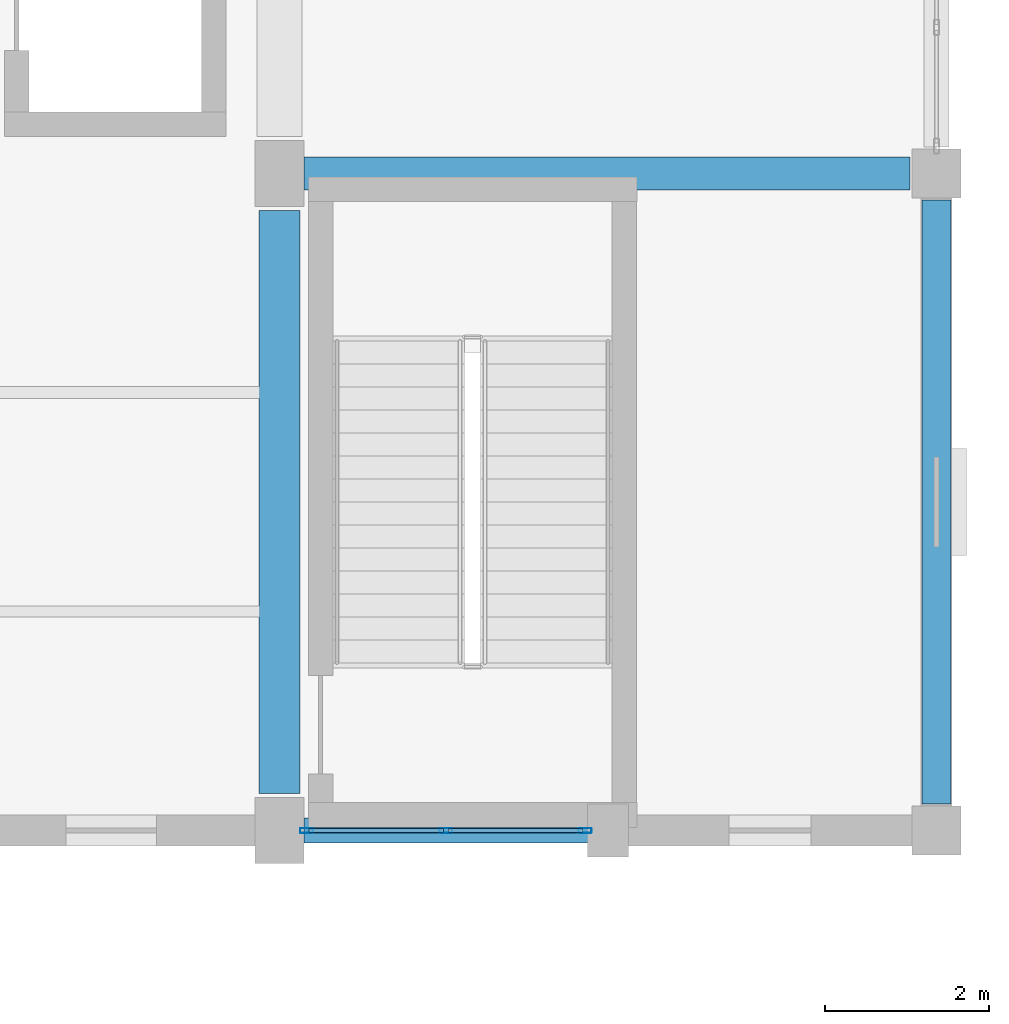
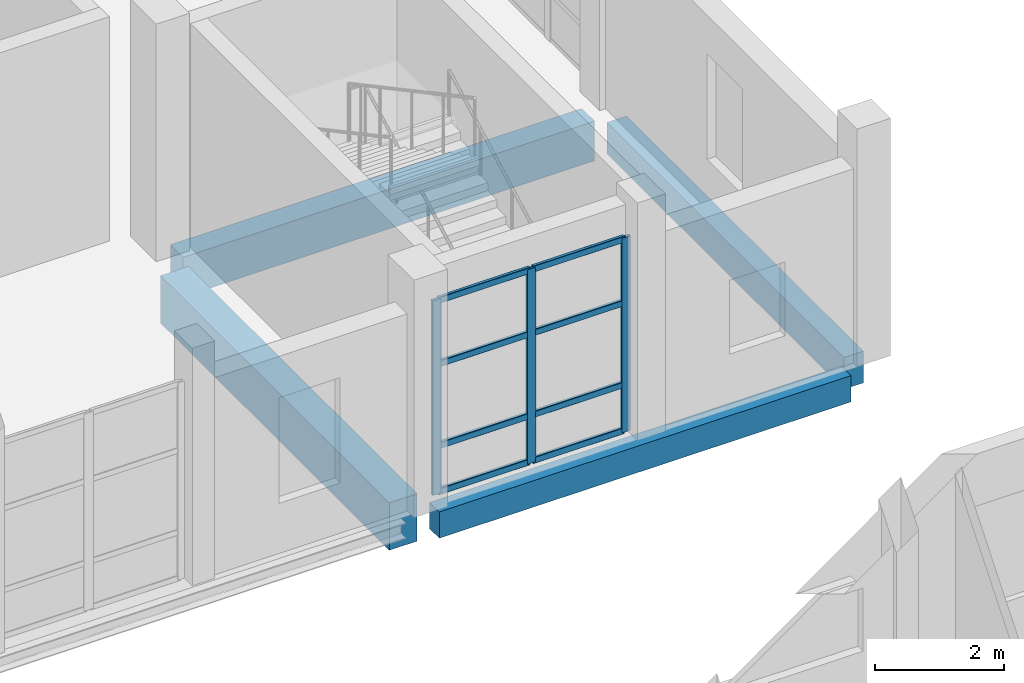
# One storey, part 112 of 183: 11 members, 4 beams, 1 element without a shape of its own.
"""IFC4 building model written with IfcOpenShell, lengths in metres."""

from ifc_helpers import new_model, si_unit, direction, frame, origin, origin_2d, place, context, subcontext, project, spatial, rectangle, hollow_rectangle, extrude, material, material_profile, profile_set, type_object, element, aggregate, save


model = new_model("IFC4")

# Units and contexts
model_context = context("Model", 3, precision=1e-05, world=origin(), true_north=direction((0.0, 1.0)))
body_context = subcontext(model_context, "Body", "Model", "MODEL_VIEW")
ifc_project = project(units=[si_unit("LENGTHUNIT", "METRE"), si_unit("AREAUNIT", "SQUARE_METRE"), si_unit("VOLUMEUNIT", "CUBIC_METRE"), si_unit("PLANEANGLEUNIT", "RADIAN"), si_unit("MASSUNIT", "GRAM", prefix="KILO")], contexts=[model_context])

# Site, building, storey
site_placement = place(None, origin())
site = spatial("IfcSite", under=ifc_project, at=site_placement, CompositionType="ELEMENT")
building_placement = place(site_placement, origin())
building = spatial("IfcBuilding", under=site, at=building_placement, Name="Luwemba Playhouse", CompositionType="ELEMENT")
storey_placement = place(building_placement, frame((0.0, 0.0, 4.800048828125)))
storey = spatial("IfcBuildingStorey", under=building, at=storey_placement, Name="L01", CompositionType="ELEMENT", Elevation=4.800048828125)

# Beams
ifc_material_1 = material(Name="Concrete C40/50", Category="concrete")
ifc_material_profile_1 = material_profile(ifc_material_1, rectangle(XDim=0.39990234375, YDim=0.75, at=origin_2d()))
ifc_profile_set_1 = profile_set([ifc_material_profile_1], Name="Concrete C40/50")
beam_type_1 = type_object("IfcBeamType", Name="BM-RB03", PredefinedType="BEAM", material=ifc_profile_set_1)
beam_1_placement = place(storey_placement, frame((164.300048828125, 76.0, -0.625), z_axis=(1.0, 0.0, 0.0), x_axis=(0.0, 1.0, 0.0)))
element("IfcBeam", 1, at=beam_1_placement, inside=storey, type_object=beam_type_1, Name="L01 grid girder 0442", PredefinedType="BEAM", context=body_context, shape_type="SweptSolid", body=[
    extrude(rectangle(XDim=0.39990234375, YDim=0.75, at=origin_2d()), origin(), (0.0, 0.0, 1.0), 7.375),
])
ifc_material_profile_2 = material_profile(ifc_material_1, rectangle(XDim=0.5, YDim=0.89990234375, at=origin_2d()))
ifc_profile_set_2 = profile_set([ifc_material_profile_2], Name="Concrete C40/50")
beam_type_2 = type_object("IfcBeamType", Name="BM-RB07", PredefinedType="BEAM", material=ifc_profile_set_2)
beam_2_placement = place(storey_placement, frame((164.0, 68.449951171875, -0.699951171875), z_axis=(0.0, 1.0, 0.0), x_axis=(-1.0, 0.0, 0.0)))
element("IfcBeam", 2, at=beam_2_placement, inside=storey, type_object=beam_type_2, Name="L01 transverse girder 0462", PredefinedType="BEAM", context=body_context, shape_type="SweptSolid", body=[
    extrude(rectangle(XDim=0.5, YDim=0.89990234375, at=origin_2d()), origin(), (0.0, 0.0, 1.0), 7.10009765625),
])
ifc_material_profile_3 = material_profile(ifc_material_1, rectangle(XDim=0.300048828125, YDim=0.5, at=origin_2d()))
ifc_profile_set_3 = profile_set([ifc_material_profile_3], Name="Concrete C40/50")
beam_type_3 = type_object("IfcBeamType", Name="BM-SP1", PredefinedType="SPANDREL", material=ifc_profile_set_3)
beam_3_placement = place(storey_placement, frame((164.300048828125, 68.0, -0.5), z_axis=(1.0, 0.0, 0.0), x_axis=(0.0, 1.0, 0.0)))
element("IfcBeam", 3, at=beam_3_placement, inside=storey, type_object=beam_type_3, Name="L01 grid girder 0440", PredefinedType="SPANDREL", context=body_context, shape_type="SweptSolid", body=[
    extrude(rectangle(XDim=0.300048828125, YDim=0.5, at=origin_2d()), origin(), (0.0, 0.0, 1.0), 7.375),
])
ifc_material_profile_4 = material_profile(ifc_material_1, rectangle(XDim=0.35009765625, YDim=0.60009765625, at=origin_2d()))
ifc_profile_set_4 = profile_set([ifc_material_profile_4], Name="Concrete C40/50")
beam_type_4 = type_object("IfcBeamType", Name="BM-SP3", PredefinedType="SPANDREL", material=ifc_profile_set_4)
beam_4_placement = place(storey_placement, frame((172.0, 68.324951171875, -0.550048828125), z_axis=(0.0, 1.0, 0.0), x_axis=(-1.0, 0.0, 0.0)))
element("IfcBeam", 4, at=beam_4_placement, inside=storey, type_object=beam_type_4, Name="L01 transverse girder 0465", PredefinedType="SPANDREL", context=body_context, shape_type="SweptSolid", body=[
    extrude(rectangle(XDim=0.35009765625, YDim=0.60009765625, at=origin_2d()), origin(), (0.0, 0.0, 1.0), 7.35009765625),
])

# Curtain wall, members
ifc_material_2 = material(Name="Solar-control double glazing", Category="glass")
curtain_wall_type = type_object("IfcCurtainWallType", Name="CW-CW84", PredefinedType="USERDEFINED", material=ifc_material_2)
curtain_wall_placement = place(storey_placement, origin())
curtain_wall = element("IfcCurtainWall", 5, at=curtain_wall_placement, inside=storey, type_object=curtain_wall_type, Name="L01 V4 unitised curtain wall 114", ObjectType="UNITISED GLAZING", PredefinedType="USERDEFINED")
ifc_material_3 = material(Name="Aluminium 6063-T6", Category="aluminium")
ifc_material_profile_5 = material_profile(ifc_material_3, hollow_rectangle(XDim=0.06005859375, YDim=0.159912109375, WallThickness=0.00390625, InnerFilletRadius=0.006103515625, OuterFilletRadius=0.010009765625, at=origin_2d()))
ifc_profile_set_5 = profile_set([ifc_material_profile_5], Name="Aluminium 6063-T6")
member_type_1 = type_object("IfcMemberType", Name="CWM-M1", PredefinedType="MULLION", material=ifc_profile_set_5)
member_1_placement = place(storey_placement, frame((167.719970703125, 68.0, 0.0), z_axis=(0.0, 0.0, 1.0), x_axis=(0.0, -1.0, 0.0)))
member_1 = element("IfcMember", 6, at=member_1_placement, type_object=member_type_1, Name="CW84 mullion 1", PredefinedType="MULLION", context=body_context, shape_type="SweptSolid", body=[
    extrude(hollow_rectangle(XDim=0.06005859375, YDim=0.159912109375, WallThickness=0.00390625, InnerFilletRadius=0.006103515625, OuterFilletRadius=0.010009765625, at=origin_2d()), origin(), (0.0, 0.0, 1.0), 3.68505859375),
])
member_2_placement = place(storey_placement, frame((166.02490234375, 68.0, 0.0), z_axis=(0.0, 0.0, 1.0), x_axis=(0.0, -1.0, 0.0)))
member_2 = element("IfcMember", 7, at=member_2_placement, type_object=member_type_1, Name="CW84 mullion 2", PredefinedType="MULLION", context=body_context, shape_type="SweptSolid", body=[
    extrude(hollow_rectangle(XDim=0.06005859375, YDim=0.159912109375, WallThickness=0.00390625, InnerFilletRadius=0.006103515625, OuterFilletRadius=0.010009765625, at=origin_2d()), origin(), (0.0, 0.0, 1.0), 3.68505859375),
])
member_3_placement = place(storey_placement, frame((164.330078125, 68.0, 0.0), z_axis=(0.0, 0.0, 1.0), x_axis=(0.0, -1.0, 0.0)))
member_3 = element("IfcMember", 8, at=member_3_placement, type_object=member_type_1, Name="CW84 mullion 3", PredefinedType="MULLION", context=body_context, shape_type="SweptSolid", body=[
    extrude(hollow_rectangle(XDim=0.06005859375, YDim=0.159912109375, WallThickness=0.00390625, InnerFilletRadius=0.006103515625, OuterFilletRadius=0.010009765625, at=origin_2d()), origin(), (0.0, 0.0, 1.0), 3.68505859375),
])
ifc_material_profile_6 = material_profile(ifc_material_3, hollow_rectangle(XDim=0.06005859375, YDim=0.1201171875, WallThickness=0.00390625, InnerFilletRadius=0.006103515625, OuterFilletRadius=0.010009765625, at=origin_2d()))
ifc_profile_set_6 = profile_set([ifc_material_profile_6], Name="Aluminium 6063-T6")
member_type_2 = type_object("IfcMemberType", Name="CWT-T1", PredefinedType="USERDEFINED", material=ifc_profile_set_6)
member_4_placement = place(storey_placement, frame((167.68994140625, 68.0, 0.030029296875), z_axis=(-1.0, 0.0, 0.0), x_axis=(0.0, -1.0, 0.0)))
member_4 = element("IfcMember", 9, at=member_4_placement, type_object=member_type_2, Name="CW84 transom 1.1", ObjectType="TRANSOM", PredefinedType="USERDEFINED", context=body_context, shape_type="SweptSolid", body=[
    extrude(hollow_rectangle(XDim=0.06005859375, YDim=0.1201171875, WallThickness=0.00390625, InnerFilletRadius=0.006103515625, OuterFilletRadius=0.010009765625, at=origin_2d()), origin(), (0.0, 0.0, 1.0), 1.635009765625),
])
member_5_placement = place(storey_placement, frame((167.68994140625, 68.0, 0.89990234375), z_axis=(-1.0, 0.0, 0.0), x_axis=(0.0, -1.0, 0.0)))
member_5 = element("IfcMember", 10, at=member_5_placement, type_object=member_type_2, Name="CW84 transom 1.2", ObjectType="TRANSOM", PredefinedType="USERDEFINED", context=body_context, shape_type="SweptSolid", body=[
    extrude(hollow_rectangle(XDim=0.06005859375, YDim=0.1201171875, WallThickness=0.00390625, InnerFilletRadius=0.006103515625, OuterFilletRadius=0.010009765625, at=origin_2d()), origin(), (0.0, 0.0, 1.0), 1.635009765625),
])
member_6_placement = place(storey_placement, frame((167.68994140625, 68.0, 2.449951171875), z_axis=(-1.0, 0.0, 0.0), x_axis=(0.0, -1.0, 0.0)))
member_6 = element("IfcMember", 11, at=member_6_placement, type_object=member_type_2, Name="CW84 transom 1.3", ObjectType="TRANSOM", PredefinedType="USERDEFINED", context=body_context, shape_type="SweptSolid", body=[
    extrude(hollow_rectangle(XDim=0.06005859375, YDim=0.1201171875, WallThickness=0.00390625, InnerFilletRadius=0.006103515625, OuterFilletRadius=0.010009765625, at=origin_2d()), origin(), (0.0, 0.0, 1.0), 1.635009765625),
])
member_7_placement = place(storey_placement, frame((167.68994140625, 68.0, 3.655029296875), z_axis=(-1.0, 0.0, 0.0), x_axis=(0.0, -1.0, 0.0)))
member_7 = element("IfcMember", 12, at=member_7_placement, type_object=member_type_2, Name="CW84 transom 1.4", ObjectType="TRANSOM", PredefinedType="USERDEFINED", context=body_context, shape_type="SweptSolid", body=[
    extrude(hollow_rectangle(XDim=0.06005859375, YDim=0.1201171875, WallThickness=0.00390625, InnerFilletRadius=0.006103515625, OuterFilletRadius=0.010009765625, at=origin_2d()), origin(), (0.0, 0.0, 1.0), 1.635009765625),
])
member_8_placement = place(storey_placement, frame((165.9951171875, 68.0, 0.030029296875), z_axis=(-1.0, 0.0, 0.0), x_axis=(0.0, -1.0, 0.0)))
member_8 = element("IfcMember", 13, at=member_8_placement, type_object=member_type_2, Name="CW84 transom 2.1", ObjectType="TRANSOM", PredefinedType="USERDEFINED", context=body_context, shape_type="SweptSolid", body=[
    extrude(hollow_rectangle(XDim=0.06005859375, YDim=0.1201171875, WallThickness=0.00390625, InnerFilletRadius=0.006103515625, OuterFilletRadius=0.010009765625, at=origin_2d()), origin(), (0.0, 0.0, 1.0), 1.635009765625),
])
member_9_placement = place(storey_placement, frame((165.9951171875, 68.0, 0.89990234375), z_axis=(-1.0, 0.0, 0.0), x_axis=(0.0, -1.0, 0.0)))
member_9 = element("IfcMember", 14, at=member_9_placement, type_object=member_type_2, Name="CW84 transom 2.2", ObjectType="TRANSOM", PredefinedType="USERDEFINED", context=body_context, shape_type="SweptSolid", body=[
    extrude(hollow_rectangle(XDim=0.06005859375, YDim=0.1201171875, WallThickness=0.00390625, InnerFilletRadius=0.006103515625, OuterFilletRadius=0.010009765625, at=origin_2d()), origin(), (0.0, 0.0, 1.0), 1.635009765625),
])
member_10_placement = place(storey_placement, frame((165.9951171875, 68.0, 2.449951171875), z_axis=(-1.0, 0.0, 0.0), x_axis=(0.0, -1.0, 0.0)))
member_10 = element("IfcMember", 15, at=member_10_placement, type_object=member_type_2, Name="CW84 transom 2.3", ObjectType="TRANSOM", PredefinedType="USERDEFINED", context=body_context, shape_type="SweptSolid", body=[
    extrude(hollow_rectangle(XDim=0.06005859375, YDim=0.1201171875, WallThickness=0.00390625, InnerFilletRadius=0.006103515625, OuterFilletRadius=0.010009765625, at=origin_2d()), origin(), (0.0, 0.0, 1.0), 1.635009765625),
])
member_11_placement = place(storey_placement, frame((165.9951171875, 68.0, 3.655029296875), z_axis=(-1.0, 0.0, 0.0), x_axis=(0.0, -1.0, 0.0)))
member_11 = element("IfcMember", 16, at=member_11_placement, type_object=member_type_2, Name="CW84 transom 2.4", ObjectType="TRANSOM", PredefinedType="USERDEFINED", context=body_context, shape_type="SweptSolid", body=[
    extrude(hollow_rectangle(XDim=0.06005859375, YDim=0.1201171875, WallThickness=0.00390625, InnerFilletRadius=0.006103515625, OuterFilletRadius=0.010009765625, at=origin_2d()), origin(), (0.0, 0.0, 1.0), 1.635009765625),
])
aggregate(curtain_wall, [member_1, member_2, member_3, member_4, member_5, member_6, member_7, member_8, member_9, member_10, member_11])

save(model, "model.ifc")
